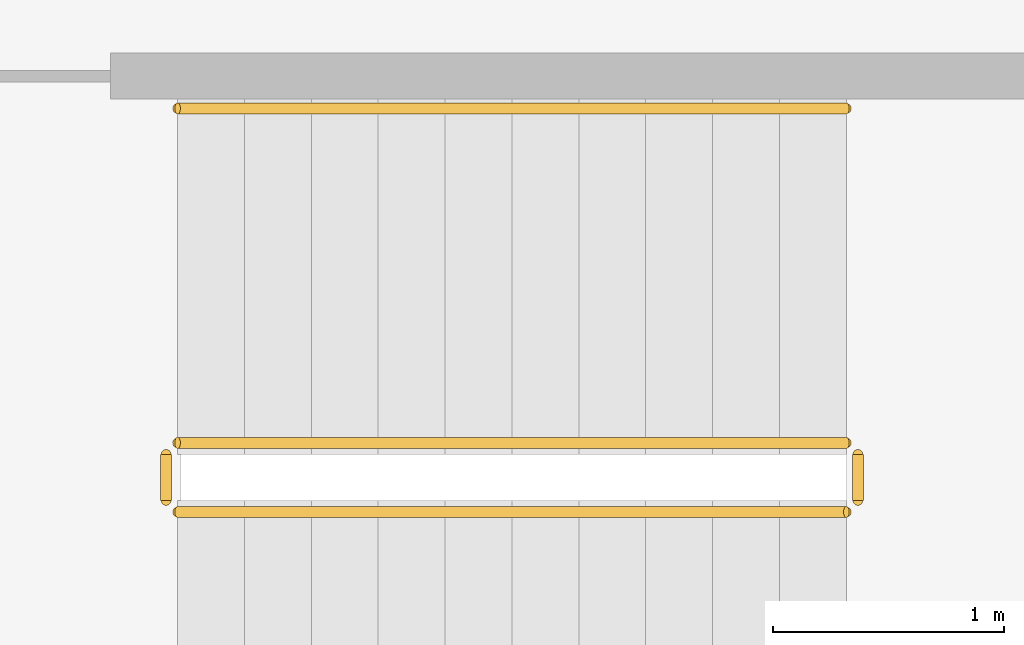
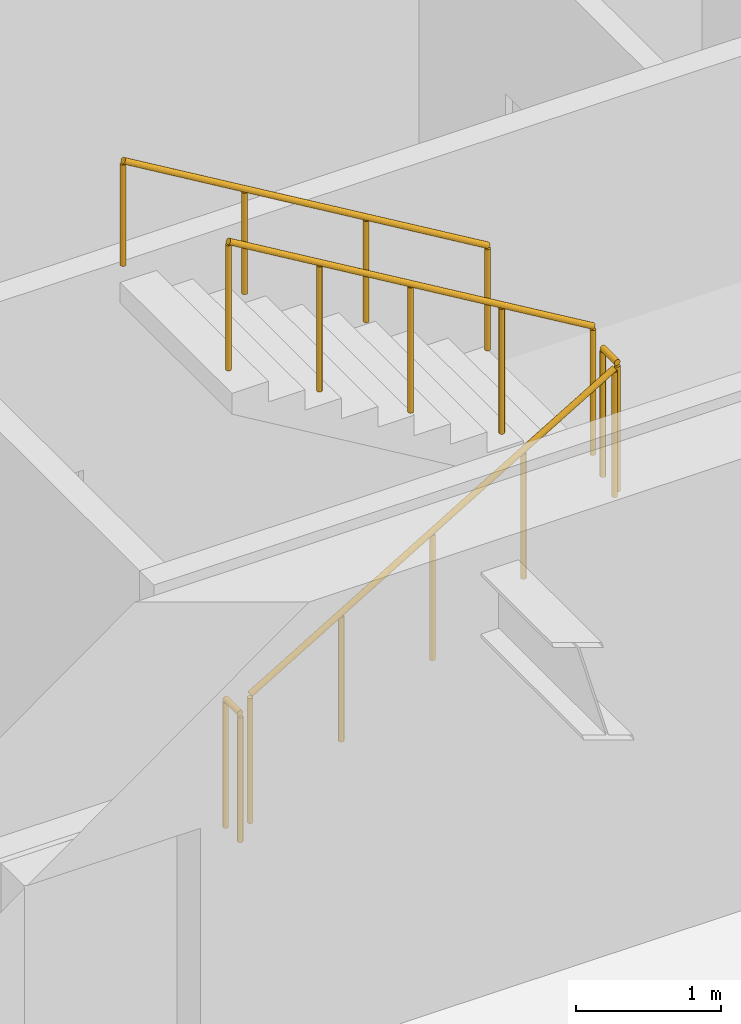
# One storey, part 21 of 22: 5 railings.
"""IFC4 building model written with IfcOpenShell, lengths in metres."""

import ifcopenshell
import ifcopenshell.guid

model = None  # the IFC model being written
_history = None  # IfcOwnerHistory: only IFC2X3 demands one
_inside = {}  # id of a spatial element -> (the spatial element, [elements in it])
_under = {}  # id of a project, library or spatial element -> (it, [spatial elements below it])
_declared = {}  # id of a project -> (the project, [libraries it declares])
_typed = {}  # id of a type object -> (the type object, [elements of that type])
_made_of = {}  # id of a material, layer set ... -> (it, [elements and type objects made of it])


def new_model(schema):
    """Start an empty IFC model of exactly this schema.

    Asked for "IFC4X3", IfcOpenShell would pick the latest addendum, in which some entities
    have other attributes; the version numbers below select the first issue.
    IFC2X3 requires an IfcOwnerHistory on every rooted entity: one is made here for all.
    """
    global model, _history
    if schema == "IFC4X3":
        model = ifcopenshell.file(schema_version=(4, 3, 0, 0))
    else:
        model = ifcopenshell.file(schema=schema)
    _inside.clear()
    _under.clear()
    _declared.clear()
    _typed.clear()
    _made_of.clear()
    _history = None
    if model.schema == "IFC2X3":
        org = make("IfcOrganization", Name="unknown")
        user = make(
            "IfcPersonAndOrganization",
            ThePerson=make("IfcPerson", FamilyName="unknown"),
            TheOrganization=org,
        )
        app = make(
            "IfcApplication",
            ApplicationDeveloper=org,
            Version="unknown",
            ApplicationFullName="unknown",
            ApplicationIdentifier="unknown",
        )
        _history = make(
            "IfcOwnerHistory",
            OwningUser=user,
            OwningApplication=app,
            ChangeAction="ADDED",
            CreationDate=0,
        )
    return model


def make(cls, **values):
    """One entity of the class cls with the attributes given. An attribute that is None is left unset."""
    return model.create_entity(
        cls, **{name: value for name, value in values.items() if value is not None}
    )


def rooted(cls, **values):
    """An entity with a GlobalId (a new one), such as an element, a storey or a relation."""
    return make(cls, GlobalId=ifcopenshell.guid.new(), OwnerHistory=_history, **values)


def si_unit(unit_type, name, prefix=None):
    """IfcSIUnit, for example si_unit("LENGTHUNIT", "METRE", prefix="MILLI")."""
    return make("IfcSIUnit", UnitType=unit_type, Prefix=prefix, Name=name)


def assignment(units):
    """IfcUnitAssignment: the units of a project."""
    return None if units is None else make("IfcUnitAssignment", Units=units)


def point(xyz):
    """IfcCartesianPoint."""
    return None if xyz is None else make("IfcCartesianPoint", Coordinates=xyz)


def direction(xyz):
    """IfcDirection."""
    return None if xyz is None else make("IfcDirection", DirectionRatios=xyz)


def frame(location, z_axis=None, x_axis=None):
    """IfcAxis2Placement3D, a coordinate frame: its origin and axes. An axis left out is left unset."""
    return make(
        "IfcAxis2Placement3D",
        Location=point(location),
        Axis=direction(z_axis),
        RefDirection=direction(x_axis),
    )


def frame_2d(location, x_axis=None):
    """IfcAxis2Placement2D, a coordinate frame in the plane: its origin and x axis."""
    return make(
        "IfcAxis2Placement2D", Location=point(location), RefDirection=direction(x_axis)
    )


def origin():
    """The frame at (0, 0, 0) with its axes left unset."""
    return frame((0.0, 0.0, 0.0))


def origin_2d():
    """The frame at (0, 0) in the plane with its x axis left unset."""
    return frame_2d((0.0, 0.0))


def place(relative_to, where):
    """IfcLocalPlacement: puts the frame where relative to a parent placement (None: the world)."""
    return make(
        "IfcLocalPlacement", PlacementRelTo=relative_to, RelativePlacement=where
    )


def context(
    kind, dimensions, precision=None, world=None, true_north=None, identifier=None
):
    """IfcGeometricRepresentationContext, for example the 3D "Model" context."""
    return make(
        "IfcGeometricRepresentationContext",
        ContextIdentifier=identifier,
        ContextType=kind,
        CoordinateSpaceDimension=dimensions,
        Precision=precision,
        WorldCoordinateSystem=world,
        TrueNorth=true_north,
    )


def subcontext(parent, identifier, kind, view, scale=None):
    """IfcGeometricRepresentationSubContext, for example "Body" below "Model"."""
    return make(
        "IfcGeometricRepresentationSubContext",
        ContextIdentifier=identifier,
        ContextType=kind,
        ParentContext=parent,
        TargetScale=scale,
        TargetView=view,
    )


def project(units=None, contexts=None):
    """IfcProject with its units and contexts."""
    return rooted(
        "IfcProject",
        Name="project",
        RepresentationContexts=contexts,
        UnitsInContext=assignment(units),
    )


def spatial(cls, under=None, at=None, **own):
    """A site, building, storey or space (cls), placed at a placement, below another one or the project."""
    s = rooted(cls, ObjectPlacement=at, **own)
    if under is not None:
        _under.setdefault(under.id(), (under, []))[1].append(s)
    return s


def profile(cls, at=None, kind="AREA", **sizes):
    """A parametric profile (cls). Its sizes go by their IFC names, for example OverallWidth=200.0."""
    return make(cls, ProfileType=kind, Position=at, **sizes)


def circle(**sizes):
    """IfcCircleProfileDef."""
    return profile("IfcCircleProfileDef", **sizes)


def extrude(swept, where, along, depth):
    """IfcExtrudedAreaSolid: the profile swept, set in the frame where, extruded along a direction by depth."""
    return make(
        "IfcExtrudedAreaSolid",
        SweptArea=swept,
        Position=where,
        ExtrudedDirection=direction(along),
        Depth=depth,
    )


def shape(context_of_items, identifier, shape_type, items):
    """IfcShapeRepresentation: the items that make up one representation, for example the "Body"."""
    return make(
        "IfcShapeRepresentation",
        ContextOfItems=context_of_items,
        RepresentationIdentifier=identifier,
        RepresentationType=shape_type,
        Items=items,
    )


def material(Name=None, Category=None):
    """IfcMaterial."""
    return make("IfcMaterial", Name=Name, Category=Category)


def made_of(thing, what):
    """Note that an element or type object is made of a material, layer set ...; save() writes the relation."""
    if what is not None:
        _made_of.setdefault(what.id(), (what, []))[1].append(thing)
    return thing


def type_object(cls, material=None, **own):
    """A type object (cls), such as IfcWallType, which elements share."""
    return made_of(rooted(cls, **own), material)


def element(
    cls,
    number,
    at=None,
    inside=None,
    cuts=None,
    type_object=None,
    material=None,
    context=None,
    identifier="Body",
    shape_type=None,
    held_by="IfcProductDefinitionShape",
    body=None,
    shapes=None,
    **own,
):
    """One element of the class cls, such as IfcWall. Its Tag is "e" and its number.

    at: its placement. inside: the storey or other place that contains it. cuts: it is an
    opening in that element (IfcRelVoidsElement). A single representation is given by context,
    identifier, shape_type and body (its items); several are given by shapes. held_by: the class
    of the entity that holds the representations. save() writes the other relations.
    """
    e = rooted(cls, Tag="e%d" % number, ObjectPlacement=at, **own)
    if body is not None:
        shapes = [shape(context, identifier, shape_type, body)]
    if shapes is not None:
        e.Representation = make(held_by, Representations=shapes)
    if inside is not None:
        _inside.setdefault(inside.id(), (inside, []))[1].append(e)
    if cuts is not None:
        rooted(
            "IfcRelVoidsElement", RelatingBuildingElement=cuts, RelatedOpeningElement=e
        )
    if type_object is not None:
        _typed.setdefault(type_object.id(), (type_object, []))[1].append(e)
    return made_of(e, material)


def aggregate(whole, parts):
    """IfcRelAggregates: a whole, such as a stair, and the parts it consists of."""
    return rooted("IfcRelAggregates", RelatingObject=whole, RelatedObjects=parts)


def save(model, path):
    """Write the relations noted so far, then the file.

    IfcRelAggregates (storeys below a building ...), IfcRelContainedInSpatialStructure (elements
    in a storey), IfcRelDefinesByType, IfcRelAssociatesMaterial and IfcRelDeclares: one each for
    every whole, place, type object, material and project.
    """
    for whole, parts in _under.values():
        aggregate(whole, parts)
    for where, things in _inside.values():
        rooted(
            "IfcRelContainedInSpatialStructure",
            RelatedElements=things,
            RelatingStructure=where,
        )
    for kind, things in _typed.values():
        rooted("IfcRelDefinesByType", RelatedObjects=things, RelatingType=kind)
    for what, things in _made_of.values():
        rooted("IfcRelAssociatesMaterial", RelatedObjects=things, RelatingMaterial=what)
    for by, libraries in _declared.values():
        rooted("IfcRelDeclares", RelatingContext=by, RelatedDefinitions=libraries)
    model.write(path)


model = new_model("IFC4")

# Units and contexts
model_context = context("Model", 3, precision=1e-05, world=origin(), true_north=direction((0.0, 1.0)))
body_context = subcontext(model_context, "Body", "Model", "MODEL_VIEW")
ifc_project = project(units=[si_unit("LENGTHUNIT", "METRE"), si_unit("AREAUNIT", "SQUARE_METRE"), si_unit("VOLUMEUNIT", "CUBIC_METRE"), si_unit("PLANEANGLEUNIT", "RADIAN"), si_unit("MASSUNIT", "GRAM", prefix="KILO")], contexts=[model_context])

# Site, building, storey
site_placement = place(None, origin())
site = spatial("IfcSite", under=ifc_project, at=site_placement, CompositionType="ELEMENT")
building_placement = place(site_placement, origin())
building = spatial("IfcBuilding", under=site, at=building_placement, Name="Putna Gate Headquarters", CompositionType="ELEMENT")
storey_placement = place(building_placement, frame((0.0, 0.0, 167.0)))
storey = spatial("IfcBuildingStorey", under=building, at=storey_placement, Name="L41", CompositionType="ELEMENT", Elevation=167.0)

# Railings
ifc_material_1 = material(Name="Powder-coated steel stair guardrail", Category="steel")
railing_type_1 = type_object("IfcRailingType", Name="RAIL-STAIR-GUARD-1100", PredefinedType="GUARDRAIL", material=ifc_material_1)
railing_1_placement = place(storey_placement, frame((57.89990234375, 21.10009765625, 0.172607421875)))
element("IfcRailing", 1, at=railing_1_placement, inside=storey, type_object=railing_type_1, Name="L41 ST2 stair guard 1", PredefinedType="GUARDRAIL", context=body_context, shape_type="SweptSolid", body=[
    extrude(circle(Radius=0.02392578125, at=origin_2d()), frame((0.0, 0.0, 1.076171875), z_axis=(0.859160404282, 0.0, 0.51170636083), x_axis=(0.0, 1.0, 0.0)), (0.0, 0.0, 1.0), 3.37548828125),
    extrude(circle(Radius=0.02099609375, at=origin_2d()), origin(), (0.0, 0.0, 1.0), 1.052001953125),
    extrude(circle(Radius=0.02099609375, at=origin_2d()), frame((0.72509765625, 0.0, 0.431884765625)), (0.0, 0.0, 1.0), 1.052001953125),
    extrude(circle(Radius=0.02099609375, at=origin_2d()), frame((1.4501953125, 0.0, 0.86376953125)), (0.0, 0.0, 1.0), 1.052001953125),
    extrude(circle(Radius=0.02099609375, at=origin_2d()), frame((2.175048828125, 0.0, 1.29541015625)), (0.0, 0.0, 1.0), 1.052001953125),
    extrude(circle(Radius=0.02099609375, at=origin_2d()), frame((2.900146484375, 0.0, 1.727294921875)), (0.0, 0.0, 1.0), 1.052001953125),
])
railing_2_placement = place(storey_placement, frame((60.85009765625, 21.14990234375, 1.89990234375)))
element("IfcRailing", 2, at=railing_2_placement, inside=storey, type_object=railing_type_1, Name="L41 ST2 stair guard 2", PredefinedType="GUARDRAIL", context=body_context, shape_type="SweptSolid", body=[
    extrude(circle(Radius=0.02392578125, at=origin_2d()), frame((0.0, 0.0, 1.076171875), z_axis=(0.0, 1.0, 0.0), x_axis=(-1.0, 0.0, 0.0)), (0.0, 0.0, 1.0), 0.2001953125),
    extrude(circle(Radius=0.02099609375, at=origin_2d()), origin(), (0.0, 0.0, 1.0), 1.052001953125),
    extrude(circle(Radius=0.02099609375, at=origin_2d()), frame((0.0, 0.2001953125, 0.0)), (0.0, 0.0, 1.0), 1.052001953125),
])
railing_3_placement = place(storey_placement, frame((60.800048828125, 21.39990234375, 2.07275390625)))
element("IfcRailing", 3, at=railing_3_placement, inside=storey, type_object=railing_type_1, Name="L41 ST2 stair guard 3", PredefinedType="GUARDRAIL", context=body_context, shape_type="SweptSolid", body=[
    extrude(circle(Radius=0.02392578125, at=origin_2d()), frame((0.0, 0.0, 1.076171875), z_axis=(-0.859160404282, 0.0, 0.51170636083), x_axis=(0.0, -1.0, 0.0)), (0.0, 0.0, 1.0), 3.37548828125),
    extrude(circle(Radius=0.02099609375, at=origin_2d()), origin(), (0.0, 0.0, 1.0), 1.052001953125),
    extrude(circle(Radius=0.02099609375, at=origin_2d()), frame((-0.72509765625, 0.0, 0.431884765625)), (0.0, 0.0, 1.0), 1.052001953125),
    extrude(circle(Radius=0.02099609375, at=origin_2d()), frame((-1.4501953125, 0.0, 0.86376953125)), (0.0, 0.0, 1.0), 1.052001953125),
    extrude(circle(Radius=0.02099609375, at=origin_2d()), frame((-2.175048828125, 0.0, 1.29541015625)), (0.0, 0.0, 1.0), 1.052001953125),
    extrude(circle(Radius=0.02099609375, at=origin_2d()), frame((-2.900146484375, 0.0, 1.727294921875)), (0.0, 0.0, 1.0), 1.052001953125),
])
railing_4_placement = place(storey_placement, frame((57.85009765625, 21.14990234375, 0.0)))
element("IfcRailing", 4, at=railing_4_placement, inside=storey, type_object=railing_type_1, Name="L41 ST2 stair guard 4", PredefinedType="GUARDRAIL", context=body_context, shape_type="SweptSolid", body=[
    extrude(circle(Radius=0.02392578125, at=origin_2d()), frame((0.0, 0.0, 1.076171875), z_axis=(0.0, 1.0, 0.0), x_axis=(-1.0, 0.0, 0.0)), (0.0, 0.0, 1.0), 0.2001953125),
    extrude(circle(Radius=0.02099609375, at=origin_2d()), origin(), (0.0, 0.0, 1.0), 1.052001953125),
    extrude(circle(Radius=0.02099609375, at=origin_2d()), frame((0.0, 0.2001953125, 0.0)), (0.0, 0.0, 1.0), 1.052001953125),
])
ifc_material_2 = material(Name="Brushed stainless steel handrail", Category="steel")
railing_type_2 = type_object("IfcRailingType", Name="RAIL-STAIR-HAND-900", PredefinedType="HANDRAIL", material=ifc_material_2)
railing_5_placement = place(storey_placement, frame((60.800048828125, 22.85009765625, 2.07275390625)))
element("IfcRailing", 5, at=railing_5_placement, inside=storey, type_object=railing_type_2, Name="L41 ST2 stair handrail 2", PredefinedType="HANDRAIL", context=body_context, shape_type="SweptSolid", body=[
    extrude(circle(Radius=0.02392578125, at=origin_2d()), frame((0.0, 0.0, 0.8759765625), z_axis=(-0.859160404282, 0.0, 0.51170636083), x_axis=(0.0, -1.0, 0.0)), (0.0, 0.0, 1.0), 3.37548828125),
    extrude(circle(Radius=0.02099609375, at=origin_2d()), origin(), (0.0, 0.0, 1.0), 0.851806640625),
    extrude(circle(Radius=0.02099609375, at=origin_2d()), frame((-0.966796875, 0.0, 0.57568359375)), (0.0, 0.0, 1.0), 0.851806640625),
    extrude(circle(Radius=0.02099609375, at=origin_2d()), frame((-1.933349609375, 0.0, 1.151611328125)), (0.0, 0.0, 1.0), 0.851806640625),
    extrude(circle(Radius=0.02099609375, at=origin_2d()), frame((-2.900146484375, 0.0, 1.727294921875)), (0.0, 0.0, 1.0), 0.851806640625),
])

save(model, "model.ifc")
